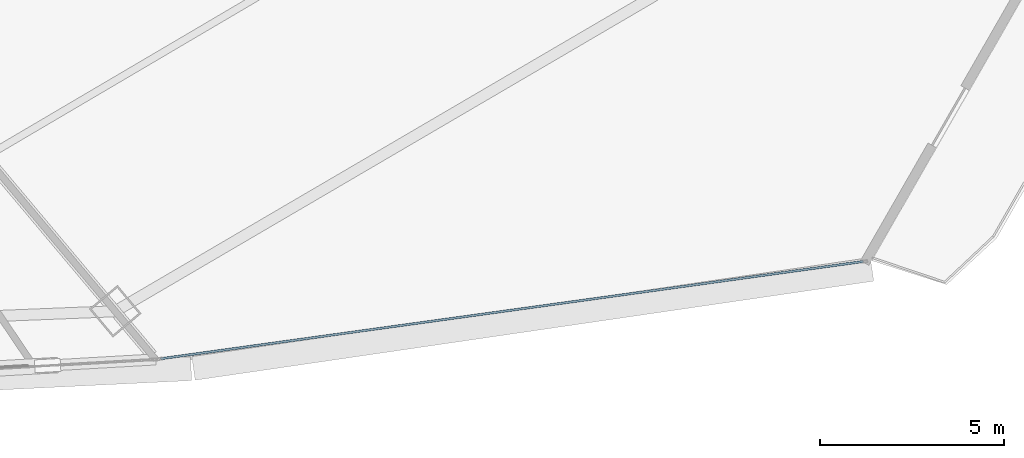
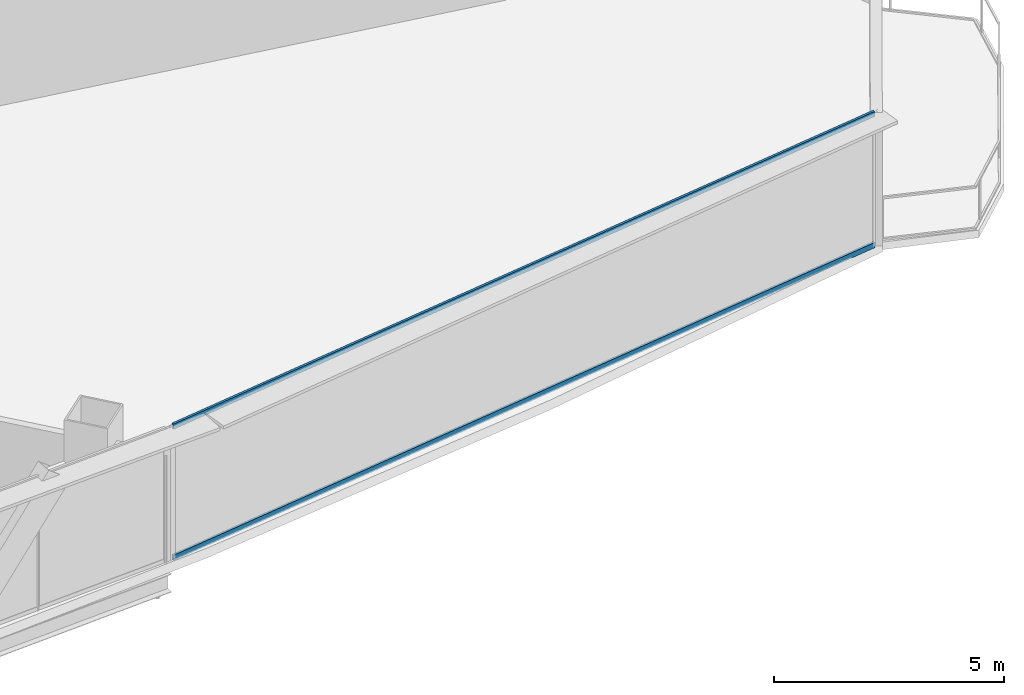
# One storey, part 19 of 36: 2 members, 1 element without a shape of its own.
"""IFC4 building model written with IfcOpenShell, lengths in metres."""

from ifc_helpers import new_model, si_unit, direction, frame, origin, origin_2d, place, context, subcontext, project, spatial, hollow_rectangle, extrude, source, transform, mapped, material, layer, layer_set, material_profile, profile_set, type_object, element, aggregate, save


model = new_model("IFC4")

# Units and contexts
model_context = context("Model", 3, precision=1e-05, world=origin(), true_north=direction((0.0, 1.0)))
body_context = subcontext(model_context, "Body", "Model", "MODEL_VIEW")
ifc_project = project(units=[si_unit("LENGTHUNIT", "METRE"), si_unit("AREAUNIT", "SQUARE_METRE"), si_unit("VOLUMEUNIT", "CUBIC_METRE"), si_unit("PLANEANGLEUNIT", "RADIAN"), si_unit("MASSUNIT", "GRAM", prefix="KILO"), si_unit("THERMODYNAMICTEMPERATUREUNIT", "KELVIN"), si_unit("POWERUNIT", "WATT")], contexts=[model_context])

# Site, building, storey
site_placement = place(None, origin())
site = spatial("IfcSite", under=ifc_project, at=site_placement, CompositionType="ELEMENT")
building_placement = place(site_placement, origin())
building = spatial("IfcBuilding", under=site, at=building_placement, Name="Yunzhuo Pagoda Commons", CompositionType="ELEMENT")
storey_placement = place(building_placement, frame((0.0, 0.0, 103.97998046875)))
storey = spatial("IfcBuildingStorey", under=building, at=storey_placement, Name="L26", CompositionType="ELEMENT", Elevation=103.97998046875)

# Curtain wall, members
ifc_material = material(Name="Anodized aluminium 6063-T6", Category="aluminium")
ifc_layer = layer(ifc_material, 0.1650390625)
ifc_layer_set = layer_set([ifc_layer], Name="Anodized aluminium 6063-T6")
curtain_wall_type = type_object("IfcCurtainWallType", Name="CW-LOW Low-Zone Ribbon Curtain Wall", PredefinedType="NOTDEFINED", material=ifc_layer_set)
curtain_wall_placement = place(storey_placement, origin())
curtain_wall = element("IfcCurtainWall", 1, at=curtain_wall_placement, inside=storey, type_object=curtain_wall_type, Name="L26 curtain wall CW-L26-F1B5", PredefinedType="NOTDEFINED")
ifc_material_profile = material_profile(ifc_material, hollow_rectangle(XDim=0.06005859375, YDim=0.139892578125, WallThickness=0.00341796875, at=origin_2d()), Name="Anodized aluminium 6063-T6")
ifc_profile_set = profile_set([ifc_material_profile], Name="Anodized aluminium 6063-T6")
member_type = type_object("IfcMemberType", Name="CW-LOW-T Transom RHS 140x60x3.5", PredefinedType="USERDEFINED", material=ifc_profile_set)
shared_shape = source(origin(), body_context, "Body", "SweptSolid", [
    extrude(hollow_rectangle(XDim=0.06005859375, YDim=0.139892578125, WallThickness=0.00341796875, at=origin_2d()), origin(), (0.0, 0.0, 1.0), 19.305908203125),
])
member_1_placement = place(storey_placement, frame((65.675048828125, 12.820068359375, 0.030029296875), z_axis=(0.990559643885, 0.137082427419, 0.0), x_axis=(-0.137082427419, 0.990559643885, 0.0)))
member_1 = element("IfcMember", 2, at=member_1_placement, type_object=member_type, Name="CW transom 1.1", ObjectType="TRANSOM", PredefinedType="USERDEFINED", context=body_context, shape_type="MappedRepresentation", body=[
    mapped(shared_shape, transform((0.0, 0.0, 0.0), scale=1.0)),
])
member_2_placement = place(storey_placement, frame((65.675048828125, 12.820068359375, 3.510009765625), z_axis=(0.990559643885, 0.137082427419, 0.0), x_axis=(-0.137082427419, 0.990559643885, 0.0)))
member_2 = element("IfcMember", 3, at=member_2_placement, type_object=member_type, Name="CW transom 1.2", ObjectType="TRANSOM", PredefinedType="USERDEFINED", context=body_context, shape_type="MappedRepresentation", body=[
    mapped(shared_shape, transform((0.0, 0.0, 0.0), scale=1.0)),
])
aggregate(curtain_wall, [member_1, member_2])

save(model, "model.ifc")
